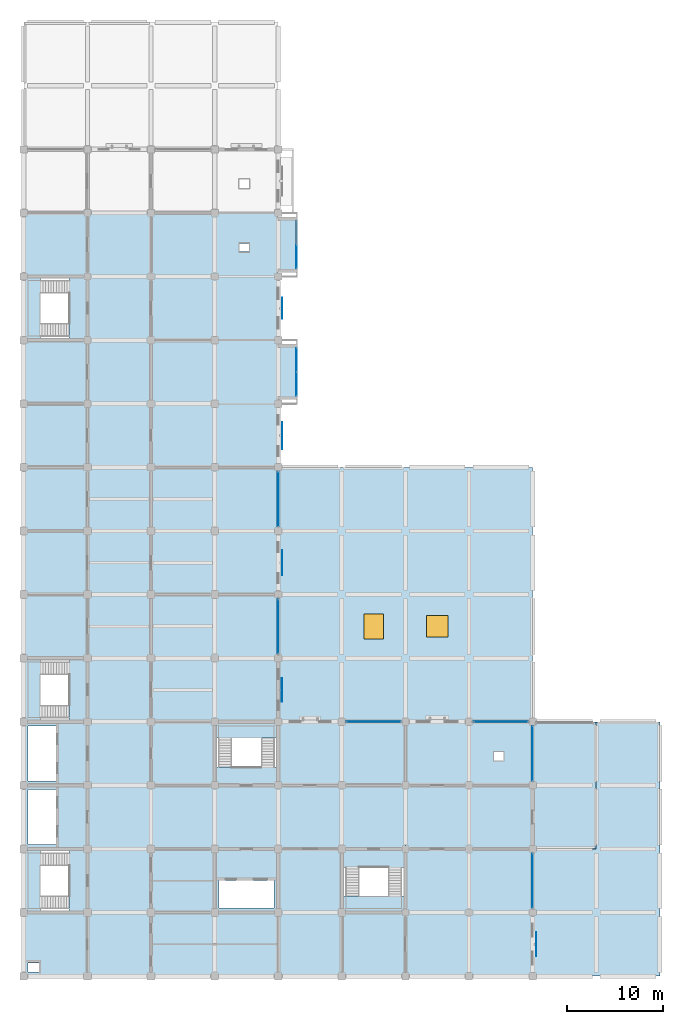
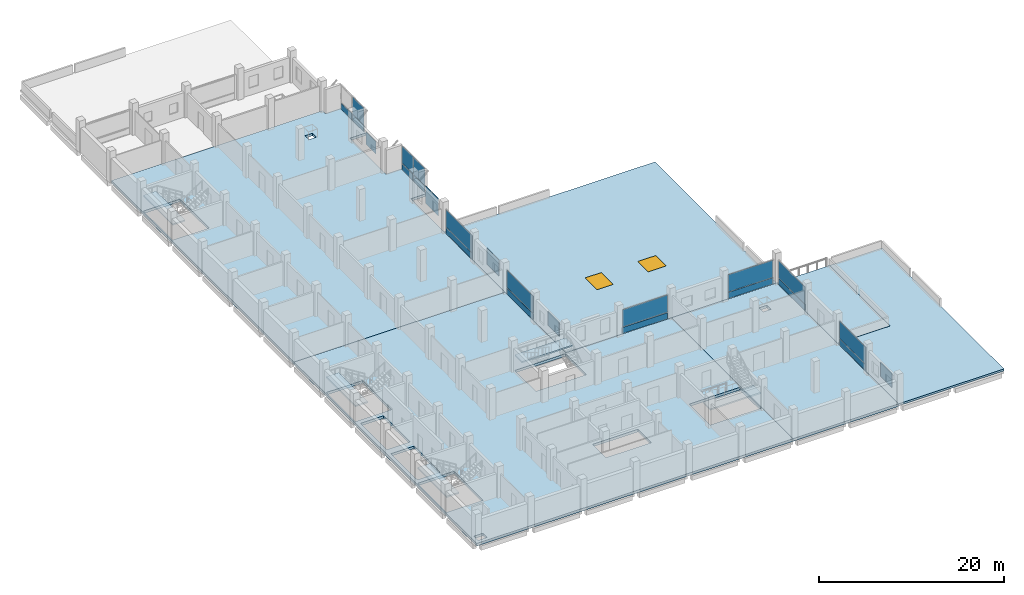
# One storey, part 12 of 23: 24 plates, 11 slabs, 2 windows, 2 openings, 13 elements without a shape of their own.
"""IFC4 building model written with IfcOpenShell, lengths in metres."""

from ifc_helpers import new_model, si_unit, direction, frame, origin, origin_2d, place, context, subcontext, project, spatial, polyline, rectangle, outline, extrude, material, layer, layer_set, type_object, element, fill, aggregate, save


model = new_model("IFC4")

# Units and contexts
model_context = context("Model", 3, precision=1e-05, world=origin(), true_north=direction((0.0, 1.0)))
body_context = subcontext(model_context, "Body", "Model", "MODEL_VIEW")
ifc_project = project(units=[si_unit("LENGTHUNIT", "METRE"), si_unit("AREAUNIT", "SQUARE_METRE"), si_unit("VOLUMEUNIT", "CUBIC_METRE"), si_unit("PLANEANGLEUNIT", "RADIAN"), si_unit("MASSUNIT", "GRAM", prefix="KILO")], contexts=[model_context])

# Site, building, storey
site_placement = place(None, origin())
site = spatial("IfcSite", under=ifc_project, at=site_placement, CompositionType="ELEMENT")
building_placement = place(site_placement, origin())
building = spatial("IfcBuilding", under=site, at=building_placement, Name="Rusizi Kubbe Research Institute", CompositionType="ELEMENT")
storey_placement = place(building_placement, frame((0.0, 0.0, 18.60009765625)))
storey = spatial("IfcBuildingStorey", under=building, at=storey_placement, Name="L04", CompositionType="ELEMENT", Elevation=18.60009765625)

# Curtain wall, plate
ifc_material_1 = material(Name="Thermally Broken Aluminium and Low-E Glazing", Category="aluminium")
curtain_wall_type_1 = type_object("IfcCurtainWallType", Name="CW-07", PredefinedType="NOTDEFINED", material=ifc_material_1)
curtain_wall_1_placement = place(storey_placement, origin())
curtain_wall_1 = element("IfcCurtainWall", 1, at=curtain_wall_1_placement, inside=storey, type_object=curtain_wall_type_1, Name="Unitised Facade Curtain Wall CW-L04-V-04-07", PredefinedType="NOTDEFINED")
ifc_material_2 = material(Name="Double Low-E Solar Control Insulated Glass", Category="glass")
ifc_layer_1 = layer(ifc_material_2, 0.02392578125)
ifc_layer_set_1 = layer_set([ifc_layer_1], Name="Double Low-E Solar Control Insulated Glass")
plate_type_1 = type_object("IfcPlateType", Name="GL-01", PredefinedType="CURTAIN_PANEL", material=ifc_layer_set_1)
plate_1_placement = place(storey_placement, frame((26.39990234375, 49.5, 0.929931640625), z_axis=(0.0, 0.0, 1.0), x_axis=(0.0, 1.0, 0.0)))
plate_1 = element("IfcPlate", 2, at=plate_1_placement, type_object=plate_type_1, Name="CW-07 panel 1.2", PredefinedType="CURTAIN_PANEL", context=body_context, shape_type="SweptSolid", body=[
    extrude(rectangle(XDim=5.669921875, YDim=0.02392578125, at=origin_2d()), origin(), (0.0, 0.0, 1.0), 2.27001953125),
])

# Curtain wall, plates
ifc_material_3 = material(Name="Thermally Broken Aluminium and Low-E Glazing", Category="aluminium")
curtain_wall_type_2 = type_object("IfcCurtainWallType", Name="CW-01", PredefinedType="NOTDEFINED", material=ifc_material_3)
curtain_wall_2_placement = place(storey_placement, origin())
curtain_wall_2 = element("IfcCurtainWall", 3, at=curtain_wall_2_placement, inside=storey, type_object=curtain_wall_type_2, Name="Cumba Glazed Curtain Wall CW-CUMBA-L04-049", PredefinedType="NOTDEFINED")
ifc_material_4 = material(Name="Double Low-E Solar Control Insulated Glass", Category="glass")
ifc_layer_2 = layer(ifc_material_4, 0.028076171875)
ifc_layer_set_2 = layer_set([ifc_layer_2], Name="Double Low-E Solar Control Insulated Glass")
plate_type_2 = type_object("IfcPlateType", Name="GL-02", PredefinedType="CURTAIN_PANEL", material=ifc_layer_set_2)
plate_2_placement = place(storey_placement, frame((28.300048828125, 61.456298828125, 0.929931640625), z_axis=(0.0, 0.0, 1.0), x_axis=(0.0, 1.0, 0.0)))
plate_2 = element("IfcPlate", 4, at=plate_2_placement, type_object=plate_type_2, Name="CW-01 panel 1.2", PredefinedType="CURTAIN_PANEL", context=body_context, shape_type="SweptSolid", body=[
    extrude(rectangle(XDim=2.427490234375, YDim=0.028076171875, at=origin_2d()), origin(), (0.0, 0.0, 1.0), 2.27001953125),
])
plate_3_placement = place(storey_placement, frame((28.300048828125, 63.94384765625, 0.929931640625), z_axis=(0.0, 0.0, 1.0), x_axis=(0.0, 1.0, 0.0)))
plate_3 = element("IfcPlate", 5, at=plate_3_placement, type_object=plate_type_2, Name="CW-01 panel 2.2", PredefinedType="CURTAIN_PANEL", context=body_context, shape_type="SweptSolid", body=[
    extrude(rectangle(XDim=2.427490234375, YDim=0.028076171875, at=origin_2d()), origin(), (0.0, 0.0, 1.0), 2.27001953125),
])

# Curtain wall, plate
curtain_wall_3_placement = place(storey_placement, origin())
curtain_wall_3 = element("IfcCurtainWall", 6, at=curtain_wall_3_placement, inside=storey, type_object=curtain_wall_type_2, Name="Cumba Glazed Curtain Wall CW-CUMBA-L04-050", PredefinedType="NOTDEFINED")
ifc_material_5 = material(Name="Double Low-E Solar Control Insulated Glass", Category="glass")
ifc_layer_3 = layer(ifc_material_5, 0.031982421875)
ifc_layer_set_3 = layer_set([ifc_layer_3], Name="Double Low-E Solar Control Insulated Glass")
plate_type_3 = type_object("IfcPlateType", Name="GL-03", PredefinedType="CURTAIN_PANEL", material=ifc_layer_set_3)
plate_4_placement = place(storey_placement, frame((28.300048828125, 74.657470703125, 0.9326171875), z_axis=(0.0, 0.0, 1.0), x_axis=(0.0, 1.0, 0.0)))
plate_4 = element("IfcPlate", 7, at=plate_4_placement, type_object=plate_type_3, Name="CW-01 panel 1.2", PredefinedType="CURTAIN_PANEL", context=body_context, shape_type="SweptSolid", body=[
    extrude(rectangle(XDim=2.419921875, YDim=0.031982421875, at=origin_2d()), origin(), (0.0, 0.0, 1.0), 2.262451171875),
])

curtain_wall_4_placement = place(storey_placement, origin())
curtain_wall_4 = element("IfcCurtainWall", 8, at=curtain_wall_4_placement, inside=storey, type_object=curtain_wall_type_1, Name="Unitised Facade Curtain Wall CW-L04-H-05-04", PredefinedType="NOTDEFINED")
ifc_material_6 = material(Name="Double Low-E Solar Control Insulated Glass", Category="glass")
ifc_layer_4 = layer(ifc_material_6, 0.035888671875)
ifc_layer_set_4 = layer_set([ifc_layer_4], Name="Double Low-E Solar Control Insulated Glass")
plate_type_4 = type_object("IfcPlateType", Name="GL-04", PredefinedType="CURTAIN_PANEL", material=ifc_layer_set_4)
plate_5_placement = place(storey_placement, frame((36.300048828125, 26.39990234375, 0.93505859375), z_axis=(0.0, 0.0, 1.0), x_axis=(1.0, 0.0, 0.0)))
plate_5 = element("IfcPlate", 9, at=plate_5_placement, type_object=plate_type_4, Name="CW-07 panel 1.2", PredefinedType="CURTAIN_PANEL", context=body_context, shape_type="SweptSolid", body=[
    extrude(rectangle(XDim=5.64990234375, YDim=0.035888671875, at=origin_2d()), origin(), (0.0, 0.0, 1.0), 2.2548828125),
])

curtain_wall_5_placement = place(storey_placement, origin())
curtain_wall_5 = element("IfcCurtainWall", 10, at=curtain_wall_5_placement, inside=storey, type_object=curtain_wall_type_1, Name="Unitised Facade Curtain Wall CW-L04-V-08-01", PredefinedType="NOTDEFINED")
ifc_material_7 = material(Name="Double Low-E Solar Control Insulated Glass", Category="glass")
ifc_layer_5 = layer(ifc_material_7, 0.0400390625)
ifc_layer_set_5 = layer_set([ifc_layer_5], Name="Double Low-E Solar Control Insulated Glass")
plate_type_5 = type_object("IfcPlateType", Name="GL-05", PredefinedType="CURTAIN_PANEL", material=ifc_layer_set_5)
plate_6_placement = place(storey_placement, frame((52.800048828125, 9.89990234375, 0.929931640625), z_axis=(0.0, 0.0, 1.0), x_axis=(0.0, 1.0, 0.0)))
plate_6 = element("IfcPlate", 11, at=plate_6_placement, type_object=plate_type_5, Name="CW-07 panel 1.2", PredefinedType="CURTAIN_PANEL", context=body_context, shape_type="SweptSolid", body=[
    extrude(rectangle(XDim=5.639892578125, YDim=0.0400390625, at=origin_2d()), origin(), (0.0, 0.0, 1.0), 2.27001953125),
])

curtain_wall_6_placement = place(storey_placement, origin())
curtain_wall_6 = element("IfcCurtainWall", 12, at=curtain_wall_6_placement, inside=storey, type_object=curtain_wall_type_1, Name="Unitised Facade Curtain Wall CW-L04-H-07-04", PredefinedType="NOTDEFINED")
ifc_material_8 = material(Name="Double Low-E Solar Control Insulated Glass", Category="glass")
ifc_layer_6 = layer(ifc_material_8, 0.0439453125)
ifc_layer_set_6 = layer_set([ifc_layer_6], Name="Double Low-E Solar Control Insulated Glass")
plate_type_6 = type_object("IfcPlateType", Name="GL-06", PredefinedType="CURTAIN_PANEL", material=ifc_layer_set_6)
plate_7_placement = place(storey_placement, frame((49.5, 26.39990234375, 0.929931640625), z_axis=(0.0, 0.0, 1.0), x_axis=(1.0, 0.0, 0.0)))
plate_7 = element("IfcPlate", 13, at=plate_7_placement, type_object=plate_type_6, Name="CW-07 panel 1.2", PredefinedType="CURTAIN_PANEL", context=body_context, shape_type="SweptSolid", body=[
    extrude(rectangle(XDim=5.6298828125, YDim=0.0439453125, at=origin_2d()), origin(), (0.0, 0.0, 1.0), 2.27001953125),
])

curtain_wall_7_placement = place(storey_placement, origin())
curtain_wall_7 = element("IfcCurtainWall", 14, at=curtain_wall_7_placement, inside=storey, type_object=curtain_wall_type_1, Name="Unitised Facade Curtain Wall CW-L04-V-08-03", PredefinedType="NOTDEFINED")
ifc_material_9 = material(Name="Double Low-E Solar Control Insulated Glass", Category="glass")
ifc_layer_7 = layer(ifc_material_9, 0.048095703125)
ifc_layer_set_7 = layer_set([ifc_layer_7], Name="Double Low-E Solar Control Insulated Glass")
plate_type_7 = type_object("IfcPlateType", Name="GL-07", PredefinedType="CURTAIN_PANEL", material=ifc_layer_set_7)
plate_8_placement = place(storey_placement, frame((52.800048828125, 23.10009765625, 0.9326171875), z_axis=(0.0, 0.0, 1.0), x_axis=(0.0, 1.0, 0.0)))
plate_8 = element("IfcPlate", 15, at=plate_8_placement, type_object=plate_type_7, Name="CW-07 panel 1.2", PredefinedType="CURTAIN_PANEL", context=body_context, shape_type="SweptSolid", body=[
    extrude(rectangle(XDim=5.669921875, YDim=0.048095703125, at=origin_2d()), origin(), (0.0, 0.0, 1.0), 2.262451171875),
])

curtain_wall_8_placement = place(storey_placement, origin())
curtain_wall_8 = element("IfcCurtainWall", 16, at=curtain_wall_8_placement, inside=storey, type_object=curtain_wall_type_1, Name="Unitised Facade Curtain Wall CW-L04-V-04-05", PredefinedType="NOTDEFINED")
ifc_material_10 = material(Name="Double Low-E Solar Control Insulated Glass", Category="glass")
ifc_layer_8 = layer(ifc_material_10, 0.052001953125)
ifc_layer_set_8 = layer_set([ifc_layer_8], Name="Double Low-E Solar Control Insulated Glass")
plate_type_8 = type_object("IfcPlateType", Name="GL-08", PredefinedType="CURTAIN_PANEL", material=ifc_layer_set_8)
plate_9_placement = place(storey_placement, frame((26.39990234375, 36.300048828125, 0.93505859375), z_axis=(0.0, 0.0, 1.0), x_axis=(0.0, 1.0, 0.0)))
plate_9 = element("IfcPlate", 17, at=plate_9_placement, type_object=plate_type_8, Name="CW-07 panel 1.2", PredefinedType="CURTAIN_PANEL", context=body_context, shape_type="SweptSolid", body=[
    extrude(rectangle(XDim=5.6298828125, YDim=0.052001953125, at=origin_2d()), origin(), (0.0, 0.0, 1.0), 2.2548828125),
])

# Plates
ifc_material_11 = material(Name="Perforated Architectural Bronze Screen", Category="steel")
ifc_layer_9 = layer(ifc_material_11, 0.01806640625)
ifc_layer_set_9 = layer_set([ifc_layer_9], Name="Perforated Architectural Bronze Screen")
plate_type_9 = type_object("IfcPlateType", Name="MS-01", PredefinedType="SHEET", material=ifc_layer_set_9)
plate_10_placement = place(storey_placement, frame((26.782470703125, 29.699951171875, 0.760009765625), z_axis=(0.0, 0.0, 1.0), x_axis=(0.0, 1.0, 0.0)))
element("IfcPlate", 18, at=plate_10_placement, inside=storey, type_object=plate_type_9, Name="Mashrabiya Perforated Screen MS-01-042", PredefinedType="SHEET", context=body_context, shape_type="SweptSolid", body=[
    extrude(rectangle(XDim=2.39990234375, YDim=0.01806640625, at=origin_2d()), origin(), (0.0, 0.0, 1.0), 1.89990234375),
])
ifc_material_12 = material(Name="Perforated Architectural Bronze Screen", Category="steel")
ifc_layer_10 = layer(ifc_material_12, 0.02001953125)
ifc_layer_set_10 = layer_set([ifc_layer_10], Name="Perforated Architectural Bronze Screen")
plate_type_10 = type_object("IfcPlateType", Name="MS-02", PredefinedType="SHEET", material=ifc_layer_set_10)
plate_11_placement = place(storey_placement, frame((26.830078125, 42.89990234375, 0.759765625), z_axis=(0.0, 0.0, 1.0), x_axis=(0.0, 1.0, 0.0)))
element("IfcPlate", 19, at=plate_11_placement, inside=storey, type_object=plate_type_10, Name="Mashrabiya Perforated Screen MS-02-043", PredefinedType="SHEET", context=body_context, shape_type="SweptSolid", body=[
    extrude(rectangle(XDim=2.60009765625, YDim=0.02001953125, at=origin_2d()), origin(), (0.0, 0.0, 1.0), 2.1201171875),
])
ifc_material_13 = material(Name="Perforated Architectural Bronze Screen", Category="steel")
ifc_layer_11 = layer(ifc_material_13, 0.02197265625)
ifc_layer_set_11 = layer_set([ifc_layer_11], Name="Perforated Architectural Bronze Screen")
plate_type_11 = type_object("IfcPlateType", Name="MS-03", PredefinedType="SHEET", material=ifc_layer_set_11)
plate_12_placement = place(storey_placement, frame((26.8125, 56.10009765625, 0.759765625), z_axis=(0.0, 0.0, 1.0), x_axis=(0.0, 1.0, 0.0)))
element("IfcPlate", 20, at=plate_12_placement, inside=storey, type_object=plate_type_11, Name="Mashrabiya Perforated Screen MS-03-044", PredefinedType="SHEET", context=body_context, shape_type="SweptSolid", body=[
    extrude(rectangle(XDim=2.800048828125, YDim=0.02197265625, at=origin_2d()), origin(), (0.0, 0.0, 1.0), 2.340087890625),
])
ifc_material_14 = material(Name="Perforated Architectural Bronze Screen", Category="steel")
ifc_layer_12 = layer(ifc_material_14, 0.01611328125)
ifc_layer_set_12 = layer_set([ifc_layer_12], Name="Perforated Architectural Bronze Screen")
plate_type_12 = type_object("IfcPlateType", Name="MS-04", PredefinedType="SHEET", material=ifc_layer_set_12)
plate_13_placement = place(storey_placement, frame((26.797607421875, 69.300048828125, 0.759765625), z_axis=(0.0, 0.0, 1.0), x_axis=(0.0, 1.0, 0.0)))
element("IfcPlate", 21, at=plate_13_placement, inside=storey, type_object=plate_type_12, Name="Mashrabiya Perforated Screen MS-04-045", PredefinedType="SHEET", context=body_context, shape_type="SweptSolid", body=[
    extrude(rectangle(XDim=2.199951171875, YDim=0.01611328125, at=origin_2d()), origin(), (0.0, 0.0, 1.0), 1.679931640625),
])
ifc_material_15 = material(Name="Perforated Architectural Bronze Screen", Category="steel")
ifc_layer_13 = layer(ifc_material_15, 0.01904296875)
ifc_layer_set_13 = layer_set([ifc_layer_13], Name="Perforated Architectural Bronze Screen")
plate_type_13 = type_object("IfcPlateType", Name="MS-06", PredefinedType="SHEET", material=ifc_layer_set_13)
plate_14_placement = place(storey_placement, frame((53.1826171875, 3.300048828125, 0.760009765625), z_axis=(0.0, 0.0, 1.0), x_axis=(0.0, 1.0, 0.0)))
element("IfcPlate", 22, at=plate_14_placement, inside=storey, type_object=plate_type_13, Name="Mashrabiya Perforated Screen MS-06-047", PredefinedType="SHEET", context=body_context, shape_type="SweptSolid", body=[
    extrude(rectangle(XDim=2.5, YDim=0.01904296875, at=origin_2d()), origin(), (0.0, 0.0, 1.0), 1.89990234375),
])

# Slabs
ifc_material_16 = material(Name="Concrete C40/50", Category="concrete")
ifc_layer_14 = layer(ifc_material_16, 0.340087890625)
ifc_layer_set_14 = layer_set([ifc_layer_14], Name="Concrete C40/50")
slab_type_1 = type_object("IfcSlabType", Name="SL-F340", PredefinedType="FLOOR", material=ifc_layer_set_14)
slab_1_placement = place(storey_placement, frame((0.0, 0.0, -0.340087890625)))
element("IfcSlab", 23, at=slab_1_placement, inside=storey, type_object=slab_type_1, Name="Structural Slab L04 CORE", PredefinedType="FLOOR", context=body_context, shape_type="SweptSolid", body=[
    extrude(outline(polyline([(0.0, 33.0), (0.0, 39.60009765625), (6.60009765625, 39.60009765625), (13.199951171875, 39.60009765625), (19.800048828125, 39.60009765625), (26.39990234375, 39.60009765625), (26.39990234375, 33.0), (26.39990234375, 26.39990234375), (33.0, 26.39990234375), (39.60009765625, 26.39990234375), (39.60009765625, 19.800048828125), (39.60009765625, 13.199951171875), (39.60009765625, 6.60009765625), (39.60009765625, 0.0), (33.0, 0.0), (26.39990234375, 0.0), (19.800048828125, 0.0), (13.199951171875, 0.0), (6.60009765625, 0.0), (0.0, 0.0), (0.0, 6.60009765625), (0.0, 13.199951171875), (0.0, 19.800048828125), (0.0, 26.39990234375), (0.0, 33.0)]), holes=[polyline([(0.449951171875, 1.35009765625), (0.449951171875, 0.449951171875), (1.550048828125, 0.449951171875), (1.550048828125, 1.35009765625), (0.449951171875, 1.35009765625)]), polyline([(20.25, 9.949951171875), (20.25, 7.050048828125), (25.949951171875, 7.050048828125), (25.949951171875, 9.949951171875), (20.25, 9.949951171875)]), polyline([(33.139892578125, 11.300048828125), (33.139892578125, 6.739990234375), (39.4599609375, 6.739990234375), (39.4599609375, 11.300048828125), (33.139892578125, 11.300048828125)]), polyline([(0.139892578125, 13.06005859375), (0.139892578125, 6.739990234375), (4.699951171875, 6.739990234375), (4.699951171875, 13.06005859375), (0.139892578125, 13.06005859375)]), polyline([(0.449951171875, 19.35009765625), (0.449951171875, 13.64990234375), (3.35009765625, 13.64990234375), (3.35009765625, 19.35009765625), (0.449951171875, 19.35009765625)]), polyline([(0.449951171875, 25.949951171875), (0.449951171875, 20.25), (3.35009765625, 20.25), (3.35009765625, 25.949951171875), (0.449951171875, 25.949951171875)]), polyline([(19.93994140625, 26.260009765625), (19.93994140625, 21.699951171875), (26.260009765625, 21.699951171875), (26.260009765625, 26.260009765625), (19.93994140625, 26.260009765625)]), polyline([(4.699951171875, 32.860107421875), (0.139892578125, 32.860107421875), (0.139892578125, 26.5400390625), (4.699951171875, 26.5400390625), (4.699951171875, 32.860107421875)])]), origin(), (0.0, 0.0, 1.0), 0.340087890625),
])
slab_2_placement = place(storey_placement, frame((0.0, 0.0, -0.340087890625)))
element("IfcSlab", 24, at=slab_2_placement, inside=storey, type_object=slab_type_1, Name="Structural Slab L04 NORTHA", PredefinedType="FLOOR", context=body_context, shape_type="SweptSolid", body=[
    extrude(outline(polyline([(0.0, 72.60009765625), (0.0, 79.199951171875), (6.60009765625, 79.199951171875), (13.199951171875, 79.199951171875), (19.800048828125, 79.199951171875), (26.39990234375, 79.199951171875), (26.39990234375, 78.60009765625), (28.39990234375, 78.60009765625), (28.39990234375, 73.199951171875), (26.39990234375, 73.199951171875), (26.39990234375, 72.60009765625), (26.39990234375, 66.0), (26.39990234375, 65.39990234375), (28.39990234375, 65.39990234375), (28.39990234375, 60.0), (26.39990234375, 60.0), (26.39990234375, 59.39990234375), (26.39990234375, 52.800048828125), (26.39990234375, 46.199951171875), (26.39990234375, 39.60009765625), (19.800048828125, 39.60009765625), (13.199951171875, 39.60009765625), (6.60009765625, 39.60009765625), (0.0, 39.60009765625), (0.0, 46.199951171875), (0.0, 52.800048828125), (0.0, 59.39990234375), (0.0, 66.0), (0.0, 72.60009765625)]), holes=[polyline([(4.699951171875, 72.4599609375), (0.139892578125, 72.4599609375), (0.139892578125, 66.139892578125), (4.699951171875, 66.139892578125), (4.699951171875, 72.4599609375)]), polyline([(23.35009765625, 76.050048828125), (22.39990234375, 76.050048828125), (22.39990234375, 75.199951171875), (23.35009765625, 75.199951171875), (23.35009765625, 76.050048828125)])]), origin(), (0.0, 0.0, 1.0), 0.340087890625),
])
slab_3_placement = place(storey_placement, frame((0.0, 0.0, -0.340087890625)))
element("IfcSlab", 25, at=slab_3_placement, inside=storey, type_object=slab_type_1, Name="Structural Slab L04 EAST", PredefinedType="FLOOR", context=body_context, shape_type="SweptSolid", body=[
    extrude(outline(polyline([(39.60009765625, 19.800048828125), (39.60009765625, 26.39990234375), (46.199951171875, 26.39990234375), (52.800048828125, 26.39990234375), (52.800048828125, 19.800048828125), (52.800048828125, 13.199951171875), (52.800048828125, 6.60009765625), (52.800048828125, 0.0), (46.199951171875, 0.0), (39.60009765625, 0.0), (39.60009765625, 6.60009765625), (39.60009765625, 13.199951171875), (39.60009765625, 19.800048828125)]), holes=[polyline([(48.800048828125, 23.25), (48.800048828125, 22.39990234375), (49.75, 22.39990234375), (49.75, 23.25), (48.800048828125, 23.25)])]), origin(), (0.0, 0.0, 1.0), 0.340087890625),
])

# Stair, slab
ifc_material_17 = material(Name="Concrete C40/50", Category="concrete")
stair_type_1 = type_object("IfcStairType", Name="ST-H420A", PredefinedType="HALF_TURN_STAIR", material=ifc_material_17)
stair_1_placement = place(storey_placement, origin())
stair_1 = element("IfcStair", 26, at=stair_1_placement, inside=storey, type_object=stair_type_1, Name="Protected Exit Stair ST1 (L04)", PredefinedType="HALF_TURN_STAIR")
ifc_material_18 = material(Name="Concrete C40/50", Category="concrete")
ifc_layer_15 = layer(ifc_material_18, 0.179931640625)
ifc_layer_set_15 = layer_set([ifc_layer_15], Name="Concrete C40/50")
slab_type_2 = type_object("IfcSlabType", Name="SL-L180", PredefinedType="LANDING", material=ifc_layer_set_15)
slab_4_placement = place(storey_placement, frame((0.0, 0.0, 1.919921875)))
slab_4 = element("IfcSlab", 27, at=slab_4_placement, type_object=slab_type_2, Name="ST1 landing 1", PredefinedType="LANDING", context=body_context, shape_type="SweptSolid", body=[
    extrude(outline(polyline([(1.7060546875, 13.06005859375), (0.139892578125, 13.06005859375), (0.139892578125, 6.739990234375), (1.7060546875, 6.739990234375), (1.7060546875, 13.06005859375)])), origin(), (0.0, 0.0, 1.0), 0.179931640625),
])
aggregate(stair_1, [slab_4])

stair_2_placement = place(storey_placement, origin())
stair_2 = element("IfcStair", 28, at=stair_2_placement, inside=storey, type_object=stair_type_1, Name="Protected Exit Stair ST2 (L04)", PredefinedType="HALF_TURN_STAIR")
slab_5_placement = place(storey_placement, frame((0.0, 0.0, 1.919921875)))
slab_5 = element("IfcSlab", 29, at=slab_5_placement, type_object=slab_type_2, Name="ST2 landing 1", PredefinedType="LANDING", context=body_context, shape_type="SweptSolid", body=[
    extrude(outline(polyline([(1.7060546875, 32.860107421875), (0.139892578125, 32.860107421875), (0.139892578125, 26.5400390625), (1.7060546875, 26.5400390625), (1.7060546875, 32.860107421875)])), origin(), (0.0, 0.0, 1.0), 0.179931640625),
])
aggregate(stair_2, [slab_5])

ifc_material_19 = material(Name="Concrete C40/50", Category="concrete")
stair_type_2 = type_object("IfcStairType", Name="ST-H420B", PredefinedType="HALF_TURN_STAIR", material=ifc_material_19)
stair_3_placement = place(storey_placement, origin())
stair_3 = element("IfcStair", 30, at=stair_3_placement, inside=storey, type_object=stair_type_2, Name="Protected Exit Stair ST3 (L04)", PredefinedType="HALF_TURN_STAIR")
slab_6_placement = place(storey_placement, frame((0.0, 0.0, 1.919921875)))
slab_6 = element("IfcSlab", 31, at=slab_6_placement, type_object=slab_type_2, Name="ST3 landing 1", PredefinedType="LANDING", context=body_context, shape_type="SweptSolid", body=[
    extrude(outline(polyline([(26.260009765625, 24.694091796875), (26.260009765625, 26.260009765625), (19.93994140625, 26.260009765625), (19.93994140625, 24.694091796875), (26.260009765625, 24.694091796875)])), origin(), (0.0, 0.0, 1.0), 0.179931640625),
])
aggregate(stair_3, [slab_6])

stair_4_placement = place(storey_placement, origin())
stair_4 = element("IfcStair", 32, at=stair_4_placement, inside=storey, type_object=stair_type_2, Name="Protected Exit Stair ST4 (L04)", PredefinedType="HALF_TURN_STAIR")
slab_7_placement = place(storey_placement, frame((0.0, 0.0, 1.919921875)))
slab_7 = element("IfcSlab", 33, at=slab_7_placement, type_object=slab_type_2, Name="ST4 landing 1", PredefinedType="LANDING", context=body_context, shape_type="SweptSolid", body=[
    extrude(outline(polyline([(33.139892578125, 8.305908203125), (33.139892578125, 6.739990234375), (39.4599609375, 6.739990234375), (39.4599609375, 8.305908203125), (33.139892578125, 8.305908203125)])), origin(), (0.0, 0.0, 1.0), 0.179931640625),
])
aggregate(stair_4, [slab_7])

stair_5_placement = place(storey_placement, origin())
stair_5 = element("IfcStair", 34, at=stair_5_placement, inside=storey, type_object=stair_type_1, Name="Protected Exit Stair ST5 (L04)", PredefinedType="HALF_TURN_STAIR")
slab_8_placement = place(storey_placement, frame((0.0, 0.0, 1.919921875)))
slab_8 = element("IfcSlab", 35, at=slab_8_placement, type_object=slab_type_2, Name="ST5 landing 1", PredefinedType="LANDING", context=body_context, shape_type="SweptSolid", body=[
    extrude(outline(polyline([(1.7060546875, 72.4599609375), (0.139892578125, 72.4599609375), (0.139892578125, 66.139892578125), (1.7060546875, 66.139892578125), (1.7060546875, 72.4599609375)])), origin(), (0.0, 0.0, 1.0), 0.179931640625),
])
aggregate(stair_5, [slab_8])

# Slab, openings, windows
ifc_material_20 = material(Name="Concrete C40/50", Category="concrete")
ifc_layer_16 = layer(ifc_material_20, 0.260009765625)
ifc_layer_set_16 = layer_set([ifc_layer_16], Name="Concrete C40/50")
slab_type_3 = type_object("IfcSlabType", Name="SL-R260", PredefinedType="ROOF", material=ifc_layer_set_16)
slab_9_placement = place(storey_placement, frame((0.0, 0.0, -0.260009765625)))
slab_9 = element("IfcSlab", 36, at=slab_9_placement, inside=storey, type_object=slab_type_3, Name="Stepback Maintenance Roof Slab L04-1", PredefinedType="ROOF", context=body_context, shape_type="SweptSolid", body=[
    extrude(outline(polyline([(33.0, 52.800048828125), (39.60009765625, 52.800048828125), (46.199951171875, 52.800048828125), (52.800048828125, 52.800048828125), (52.800048828125, 46.199951171875), (52.800048828125, 39.60009765625), (52.800048828125, 33.0), (52.800048828125, 26.405029296875), (26.405029296875, 26.405029296875), (26.405029296875, 52.800048828125), (33.0, 52.800048828125)])), origin(), (0.0, 0.0, 1.0), 0.260009765625),
])
opening_1_placement = place(slab_9_placement, frame((36.300048828125, 36.300048828125, -0.010009765625)))
opening_1 = element("IfcOpeningElement", 37, at=opening_1_placement, cuts=slab_9, Name="Opening SK-03", PredefinedType="OPENING", context=body_context, shape_type="SweptSolid", body=[
    extrude(rectangle(XDim=2.02001953125, YDim=2.580078125, at=origin_2d()), origin(), (0.0, 0.0, 1.0), 0.280029296875),
])
opening_2_placement = place(slab_9_placement, frame((42.89990234375, 36.300048828125, -0.010009765625)))
opening_2 = element("IfcOpeningElement", 38, at=opening_2_placement, cuts=slab_9, Name="Opening SK-04", PredefinedType="OPENING", context=body_context, shape_type="SweptSolid", body=[
    extrude(rectangle(XDim=2.239990234375, YDim=2.239990234375, at=origin_2d()), origin(), (0.0, 0.0, 1.0), 0.280029296875),
])
ifc_material_21 = material(Name="Laminated Insulated Roof Glazing", Category="glass")
window_type_1 = type_object("IfcWindowType", Name="SK-03", PartitioningType="SINGLE_PANEL", PredefinedType="SKYLIGHT", material=ifc_material_21)
window_1_placement = place(slab_9_placement, frame((36.300048828125, 36.300048828125, 0.2099609375)))
window_1 = element("IfcWindow", 39, at=window_1_placement, inside=storey, type_object=window_type_1, Name="Roof Skylight SK-03-07", OverallHeight=2.580078125, OverallWidth=2.02001953125, PartitioningType="SINGLE_PANEL", PredefinedType="SKYLIGHT", context=body_context, shape_type="SweptSolid", body=[
    extrude(rectangle(XDim=2.02001953125, YDim=2.580078125, at=origin_2d()), origin(), (0.0, 0.0, 1.0), 0.050048828125),
])
fill(opening_1, window_1)
ifc_material_22 = material(Name="Laminated Insulated Roof Glazing", Category="glass")
window_type_2 = type_object("IfcWindowType", Name="SK-04", PartitioningType="SINGLE_PANEL", PredefinedType="SKYLIGHT", material=ifc_material_22)
window_2_placement = place(slab_9_placement, frame((42.89990234375, 36.300048828125, 0.2099609375)))
window_2 = element("IfcWindow", 40, at=window_2_placement, inside=storey, type_object=window_type_2, Name="Roof Skylight SK-04-08", OverallHeight=2.239990234375, OverallWidth=2.239990234375, PartitioningType="SINGLE_PANEL", PredefinedType="SKYLIGHT", context=body_context, shape_type="SweptSolid", body=[
    extrude(rectangle(XDim=2.239990234375, YDim=2.239990234375, at=origin_2d()), origin(), (0.0, 0.0, 1.0), 0.050048828125),
])
fill(opening_2, window_2)

# Slabs
slab_10_placement = place(storey_placement, frame((0.0, 0.0, -0.260009765625)))
element("IfcSlab", 41, at=slab_10_placement, inside=storey, type_object=slab_type_3, Name="Stepback Maintenance Roof Slab L04-3", PredefinedType="ROOF", context=body_context, shape_type="SweptSolid", body=[
    extrude(outline(polyline([(59.39990234375, 19.800048828125), (59.39990234375, 26.39990234375), (66.0, 26.39990234375), (66.0, 19.800048828125), (66.0, 13.199951171875), (66.0, 6.60009765625), (66.0, 0.0), (59.39990234375, 0.0), (52.804931640625, 0.0), (52.804931640625, 13.199951171875), (59.39990234375, 13.199951171875), (59.39990234375, 19.800048828125)])), origin(), (0.0, 0.0, 1.0), 0.260009765625),
])
ifc_material_23 = material(Name="Concrete C40/50", Category="concrete")
ifc_layer_17 = layer(ifc_material_23, 0.2451171875)
ifc_layer_set_17 = layer_set([ifc_layer_17], Name="Concrete C40/50")
slab_type_4 = type_object("IfcSlabType", Name="SL-T245", PredefinedType="FLOOR", material=ifc_layer_set_17)
slab_11_placement = place(storey_placement, frame((0.0, 0.0, -0.2451171875)))
element("IfcSlab", 42, at=slab_11_placement, inside=storey, type_object=slab_type_4, Name="Walkable Roof Terrace Slab L04-1", PredefinedType="FLOOR", context=body_context, shape_type="SweptSolid", body=[
    extrude(outline(polyline([(52.804931640625, 13.199951171875), (52.804931640625, 26.39990234375), (59.39990234375, 26.39990234375), (59.39990234375, 19.800048828125), (59.39990234375, 13.199951171875), (52.804931640625, 13.199951171875)])), origin(), (0.0, 0.0, 1.0), 0.2451171875),
])

# Plate
ifc_material_24 = material(Name="Ceramic-Frit Insulated Spandrel Panel", Category="glass")
ifc_layer_18 = layer(ifc_material_24, 0.05810546875)
ifc_layer_set_18 = layer_set([ifc_layer_18], Name="Ceramic-Frit Insulated Spandrel Panel")
plate_type_14 = type_object("IfcPlateType", Name="SP-01", PredefinedType="CURTAIN_PANEL", material=ifc_layer_set_18)
plate_15_placement = place(storey_placement, frame((26.39990234375, 49.5, 0.059814453125), z_axis=(0.0, 0.0, 1.0), x_axis=(0.0, 1.0, 0.0)))
plate_15 = element("IfcPlate", 43, at=plate_15_placement, type_object=plate_type_14, Name="CW-07 panel 1.1", PredefinedType="CURTAIN_PANEL", context=body_context, shape_type="SweptSolid", body=[
    extrude(rectangle(XDim=5.669921875, YDim=0.05810546875, at=origin_2d()), origin(), (0.0, 0.0, 1.0), 0.81005859375),
])

aggregate(curtain_wall_1, [plate_15, plate_1])

plate_16_placement = place(storey_placement, frame((52.800048828125, 9.89990234375, 0.059814453125), z_axis=(0.0, 0.0, 1.0), x_axis=(0.0, 1.0, 0.0)))
plate_16 = element("IfcPlate", 44, at=plate_16_placement, type_object=plate_type_14, Name="CW-07 panel 1.1", PredefinedType="CURTAIN_PANEL", context=body_context, shape_type="SweptSolid", body=[
    extrude(rectangle(XDim=5.639892578125, YDim=0.05810546875, at=origin_2d()), origin(), (0.0, 0.0, 1.0), 0.81005859375),
])

aggregate(curtain_wall_5, [plate_16, plate_6])

ifc_material_25 = material(Name="Ceramic-Frit Insulated Spandrel Panel", Category="glass")
ifc_layer_19 = layer(ifc_material_25, 0.06396484375)
ifc_layer_set_19 = layer_set([ifc_layer_19], Name="Ceramic-Frit Insulated Spandrel Panel")
plate_type_15 = type_object("IfcPlateType", Name="SP-02", PredefinedType="CURTAIN_PANEL", material=ifc_layer_set_19)
plate_17_placement = place(storey_placement, frame((28.300048828125, 61.456298828125, 0.059814453125), z_axis=(0.0, 0.0, 1.0), x_axis=(0.0, 1.0, 0.0)))
plate_17 = element("IfcPlate", 45, at=plate_17_placement, type_object=plate_type_15, Name="CW-01 panel 1.1", PredefinedType="CURTAIN_PANEL", context=body_context, shape_type="SweptSolid", body=[
    extrude(rectangle(XDim=2.427490234375, YDim=0.06396484375, at=origin_2d()), origin(), (0.0, 0.0, 1.0), 0.81005859375),
])

plate_18_placement = place(storey_placement, frame((28.300048828125, 63.94384765625, 0.059814453125), z_axis=(0.0, 0.0, 1.0), x_axis=(0.0, 1.0, 0.0)))
plate_18 = element("IfcPlate", 46, at=plate_18_placement, type_object=plate_type_15, Name="CW-01 panel 2.1", PredefinedType="CURTAIN_PANEL", context=body_context, shape_type="SweptSolid", body=[
    extrude(rectangle(XDim=2.427490234375, YDim=0.06396484375, at=origin_2d()), origin(), (0.0, 0.0, 1.0), 0.81005859375),
])

aggregate(curtain_wall_2, [plate_17, plate_2, plate_18, plate_3])

plate_19_placement = place(storey_placement, frame((49.5, 26.39990234375, 0.059814453125), z_axis=(0.0, 0.0, 1.0), x_axis=(1.0, 0.0, 0.0)))
plate_19 = element("IfcPlate", 47, at=plate_19_placement, type_object=plate_type_15, Name="CW-07 panel 1.1", PredefinedType="CURTAIN_PANEL", context=body_context, shape_type="SweptSolid", body=[
    extrude(rectangle(XDim=5.6298828125, YDim=0.06396484375, at=origin_2d()), origin(), (0.0, 0.0, 1.0), 0.81005859375),
])

aggregate(curtain_wall_6, [plate_19, plate_7])

ifc_material_26 = material(Name="Ceramic-Frit Insulated Spandrel Panel", Category="glass")
ifc_layer_20 = layer(ifc_material_26, 0.070068359375)
ifc_layer_set_20 = layer_set([ifc_layer_20], Name="Ceramic-Frit Insulated Spandrel Panel")
plate_type_16 = type_object("IfcPlateType", Name="SP-03", PredefinedType="CURTAIN_PANEL", material=ifc_layer_set_20)
plate_20_placement = place(storey_placement, frame((28.300048828125, 74.657470703125, 0.06494140625), z_axis=(0.0, 0.0, 1.0), x_axis=(0.0, 1.0, 0.0)))
plate_20 = element("IfcPlate", 48, at=plate_20_placement, type_object=plate_type_16, Name="CW-01 panel 1.1", PredefinedType="CURTAIN_PANEL", context=body_context, shape_type="SweptSolid", body=[
    extrude(rectangle(XDim=2.419921875, YDim=0.070068359375, at=origin_2d()), origin(), (0.0, 0.0, 1.0), 0.802490234375),
])

plate_21_placement = place(storey_placement, frame((28.300048828125, 77.142578125, 0.06494140625), z_axis=(0.0, 0.0, 1.0), x_axis=(0.0, 1.0, 0.0)))
plate_21 = element("IfcPlate", 49, at=plate_21_placement, type_object=plate_type_16, Name="CW-01 panel 2.1", PredefinedType="CURTAIN_PANEL", context=body_context, shape_type="SweptSolid", body=[
    extrude(rectangle(XDim=2.419921875, YDim=0.070068359375, at=origin_2d()), origin(), (0.0, 0.0, 1.0), 0.802490234375),
])

aggregate(curtain_wall_3, [plate_20, plate_4, plate_21])

plate_22_placement = place(storey_placement, frame((52.800048828125, 23.10009765625, 0.06494140625), z_axis=(0.0, 0.0, 1.0), x_axis=(0.0, 1.0, 0.0)))
plate_22 = element("IfcPlate", 50, at=plate_22_placement, type_object=plate_type_16, Name="CW-07 panel 1.1", PredefinedType="CURTAIN_PANEL", context=body_context, shape_type="SweptSolid", body=[
    extrude(rectangle(XDim=5.669921875, YDim=0.070068359375, at=origin_2d()), origin(), (0.0, 0.0, 1.0), 0.802490234375),
])

aggregate(curtain_wall_7, [plate_22, plate_8])

ifc_material_27 = material(Name="Ceramic-Frit Insulated Spandrel Panel", Category="glass")
ifc_layer_21 = layer(ifc_material_27, 0.075927734375)
ifc_layer_set_21 = layer_set([ifc_layer_21], Name="Ceramic-Frit Insulated Spandrel Panel")
plate_type_17 = type_object("IfcPlateType", Name="SP-04", PredefinedType="CURTAIN_PANEL", material=ifc_layer_set_21)
plate_23_placement = place(storey_placement, frame((26.39990234375, 36.300048828125, 0.06982421875), z_axis=(0.0, 0.0, 1.0), x_axis=(0.0, 1.0, 0.0)))
plate_23 = element("IfcPlate", 51, at=plate_23_placement, type_object=plate_type_17, Name="CW-07 panel 1.1", PredefinedType="CURTAIN_PANEL", context=body_context, shape_type="SweptSolid", body=[
    extrude(rectangle(XDim=5.6298828125, YDim=0.075927734375, at=origin_2d()), origin(), (0.0, 0.0, 1.0), 0.794921875),
])

aggregate(curtain_wall_8, [plate_23, plate_9])

plate_24_placement = place(storey_placement, frame((36.300048828125, 26.39990234375, 0.06982421875), z_axis=(0.0, 0.0, 1.0), x_axis=(1.0, 0.0, 0.0)))
plate_24 = element("IfcPlate", 52, at=plate_24_placement, type_object=plate_type_17, Name="CW-07 panel 1.1", PredefinedType="CURTAIN_PANEL", context=body_context, shape_type="SweptSolid", body=[
    extrude(rectangle(XDim=5.64990234375, YDim=0.075927734375, at=origin_2d()), origin(), (0.0, 0.0, 1.0), 0.794921875),
])

aggregate(curtain_wall_4, [plate_24, plate_5])

save(model, "model.ifc")
